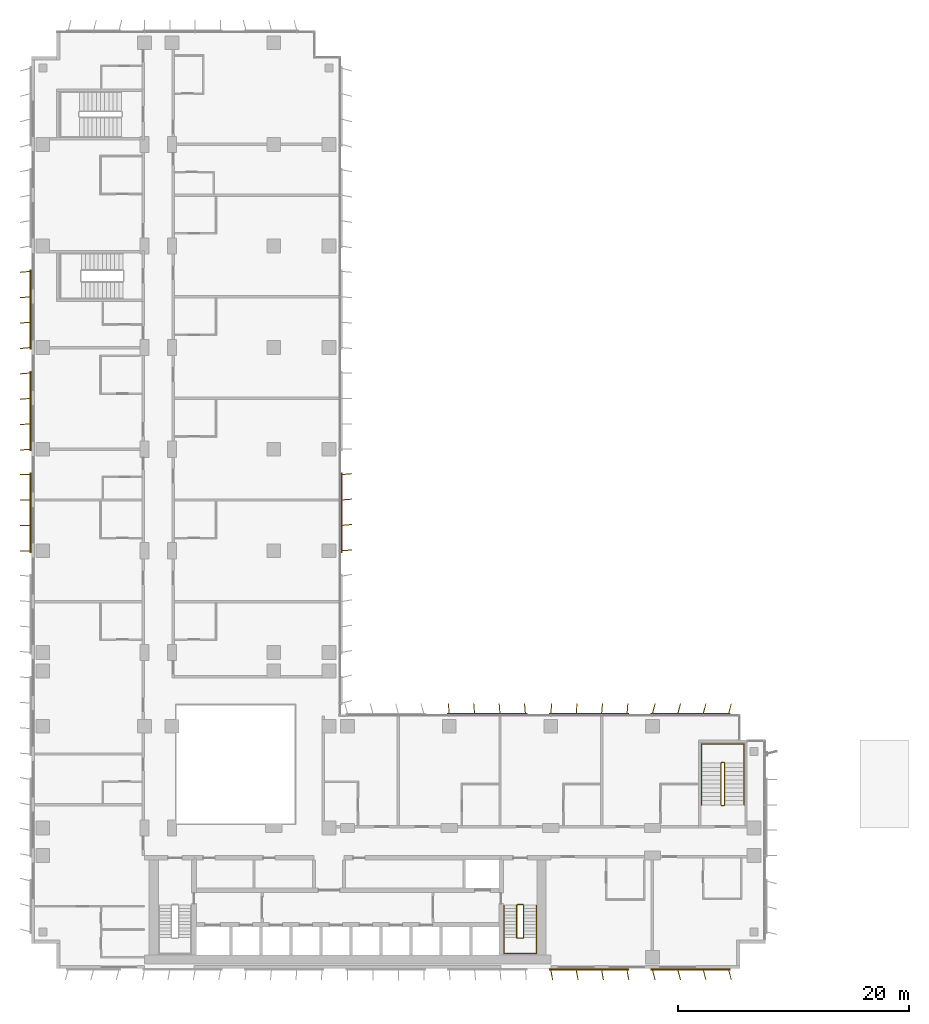
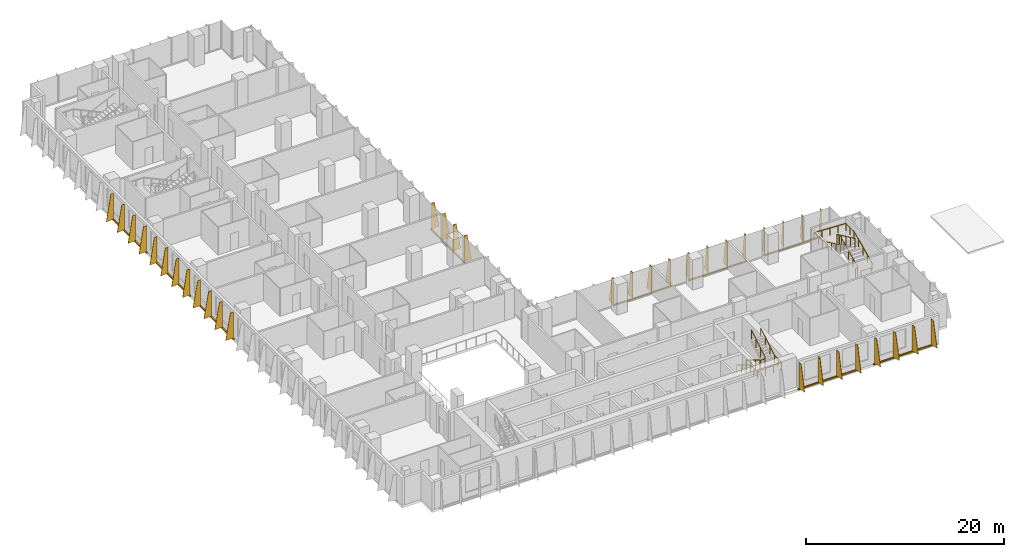
# One storey, part 20 of 22: 9 shading devices, 4 railings.
"""IFC4 building model written with IfcOpenShell, lengths in metres."""

from ifc_helpers import new_model, si_unit, direction, frame, origin, origin_2d, place, context, subcontext, project, spatial, polyline, rectangle, circle, outline, extrude, source, transform, mapped, material, layer, layer_set, type_object, element, save


model = new_model("IFC4")

# Units and contexts
model_context = context("Model", 3, precision=1e-05, world=origin(), true_north=direction((0.0, 1.0)))
body_context = subcontext(model_context, "Body", "Model", "MODEL_VIEW")
ifc_project = project(units=[si_unit("LENGTHUNIT", "METRE"), si_unit("AREAUNIT", "SQUARE_METRE"), si_unit("VOLUMEUNIT", "CUBIC_METRE"), si_unit("PLANEANGLEUNIT", "RADIAN"), si_unit("MASSUNIT", "GRAM", prefix="KILO")], contexts=[model_context])

# Site, building, storey
site_placement = place(None, origin())
site = spatial("IfcSite", under=ifc_project, at=site_placement, CompositionType="ELEMENT")
building_placement = place(site_placement, origin())
building = spatial("IfcBuilding", under=site, at=building_placement, Name="Kemantara Hotel Tower", CompositionType="ELEMENT")
storey_placement = place(building_placement, frame((0.0, 0.0, 87.10009765625)))
storey = spatial("IfcBuildingStorey", under=building, at=storey_placement, Name="L20", CompositionType="ELEMENT", Elevation=87.10009765625)

# Railings
ifc_material_1 = material(Name="Stainless steel balustrade", Category="steel")
railing_type_1 = type_object("IfcRailingType", Name="Stair guard 1100 mm", PredefinedType="GUARDRAIL", material=ifc_material_1)
railing_1_placement = place(storey_placement, frame((42.64990234375, 5.5, 3.699951171875)))
element("IfcRailing", 1, at=railing_1_placement, inside=storey, type_object=railing_type_1, Name="L20 ST2 stair guard 1", PredefinedType="GUARDRAIL", context=body_context, shape_type="SweptSolid", body=[
    extrude(circle(Radius=0.02392578125, at=origin_2d()), frame((0.0, 0.0, 1.076171875), z_axis=(0.0, -0.857242210791, -0.514913383045), x_axis=(1.0, 0.0, 0.0)), (0.0, 0.0, 1.0), 3.266357421875),
    extrude(circle(Radius=0.02392578125, at=origin_2d()), frame((0.0, -2.800048828125, -0.60595703125), z_axis=(-0.273006030465, -0.27434429532, -0.922064485248), x_axis=(0.708833529934, -0.705375805398, 0.0)), (0.0, 0.0, 1.0), 0.182373046875),
    extrude(circle(Radius=0.02392578125, at=origin_2d()), frame((-0.0498046875, -2.85009765625, -0.77392578125), z_axis=(-1.0, 0.0, 0.0), x_axis=(0.0, -1.0, 0.0)), (0.0, 0.0, 1.0), 0.5),
    extrude(circle(Radius=0.02392578125, at=origin_2d()), frame((-0.5498046875, -2.85009765625, -0.77392578125), z_axis=(-0.707106781187, 0.707106781187, 0.0), x_axis=(-0.707106781187, -0.707106781187, 0.0)), (0.0, 0.0, 1.0), 0.07080078125),
    extrude(circle(Radius=0.02392578125, at=origin_2d()), frame((-0.599853515625, -2.800048828125, -0.77392578125), z_axis=(0.0, 0.857242210791, -0.514913383045), x_axis=(-1.0, 0.0, 0.0)), (0.0, 0.0, 1.0), 3.266357421875),
    extrude(circle(Radius=0.02392578125, at=origin_2d()), frame((-0.599853515625, 0.0, -2.4560546875), z_axis=(0.274582412415, 0.274582412415, -0.921525364591), x_axis=(-0.707106781187, 0.707106781187, 0.0)), (0.0, 0.0, 1.0), 0.182373046875),
    extrude(circle(Radius=0.02392578125, at=origin_2d()), frame((-0.5498046875, 0.050048828125, -2.6240234375), z_axis=(1.0, 0.0, 0.0), x_axis=(0.0, 1.0, 0.0)), (0.0, 0.0, 1.0), 0.5),
    extrude(circle(Radius=0.02099609375, at=origin_2d()), origin(), (0.0, 0.0, 1.0), 1.052001953125),
    extrude(circle(Radius=0.02099609375, at=origin_2d()), frame((0.0, -0.933349609375, -0.560546875)), (0.0, 0.0, 1.0), 1.052001953125),
    extrude(circle(Radius=0.02099609375, at=origin_2d()), frame((0.0, -1.86669921875, -1.121337890625)), (0.0, 0.0, 1.0), 1.052001953125),
    extrude(circle(Radius=0.02099609375, at=origin_2d()), frame((0.0, -2.800048828125, -1.681884765625)), (0.0, 0.0, 1.0), 1.052001953125),
    extrude(circle(Radius=0.02099609375, at=origin_2d()), frame((-0.0498046875, -2.85009765625, -1.85009765625)), (0.0, 0.0, 1.0), 1.052001953125),
    extrude(circle(Radius=0.02099609375, at=origin_2d()), frame((-0.5498046875, -2.85009765625, -1.85009765625)), (0.0, 0.0, 1.0), 1.052001953125),
    extrude(circle(Radius=0.02099609375, at=origin_2d()), frame((-0.599853515625, -2.800048828125, -1.85009765625)), (0.0, 0.0, 1.0), 1.052001953125),
    extrude(circle(Radius=0.02099609375, at=origin_2d()), frame((-0.599853515625, -1.86669921875, -2.41064453125)), (0.0, 0.0, 1.0), 1.052001953125),
    extrude(circle(Radius=0.02099609375, at=origin_2d()), frame((-0.599853515625, -0.933349609375, -2.971435546875)), (0.0, 0.0, 1.0), 1.052001953125),
    extrude(circle(Radius=0.02099609375, at=origin_2d()), frame((-0.599853515625, 0.0, -3.531982421875)), (0.0, 0.0, 1.0), 1.052001953125),
    extrude(circle(Radius=0.02099609375, at=origin_2d()), frame((-0.5498046875, 0.050048828125, -3.699951171875)), (0.0, 0.0, 1.0), 1.052001953125),
    extrude(circle(Radius=0.02099609375, at=origin_2d()), frame((-0.0498046875, 0.050048828125, -3.699951171875)), (0.0, 0.0, 1.0), 1.052001953125),
])
railing_2_placement = place(storey_placement, frame((59.75, 14.199951171875, 3.699951171875)))
element("IfcRailing", 2, at=railing_2_placement, inside=storey, type_object=railing_type_1, Name="L20 ST3 stair guard 1", PredefinedType="GUARDRAIL", context=body_context, shape_type="SweptSolid", body=[
    extrude(circle(Radius=0.02392578125, at=origin_2d()), frame((0.0, 0.0, 1.076171875), z_axis=(0.0, 0.906005689286, -0.423265508849), x_axis=(-1.0, 0.0, 0.0)), (0.0, 0.0, 1.0), 3.9736328125),
    extrude(circle(Radius=0.02392578125, at=origin_2d()), frame((0.0, 3.60009765625, -0.60595703125), z_axis=(0.274243871929, 0.274243871929, -0.92172696468), x_axis=(-0.707106781187, 0.707106781187, 0.0)), (0.0, 0.0, 1.0), 0.1826171875),
    extrude(circle(Radius=0.02392578125, at=origin_2d()), frame((0.050048828125, 3.650146484375, -0.77392578125), z_axis=(1.0, 0.0, 0.0), x_axis=(0.0, 1.0, 0.0)), (0.0, 0.0, 1.0), 0.199951171875),
    extrude(circle(Radius=0.02392578125, at=origin_2d()), frame((0.25, 3.650146484375, -0.77392578125), z_axis=(0.707106781187, -0.707106781187, 0.0), x_axis=(0.707106781187, 0.707106781187, 0.0)), (0.0, 0.0, 1.0), 0.07080078125),
    extrude(circle(Radius=0.02392578125, at=origin_2d()), frame((0.300048828125, 3.60009765625, -0.77392578125), z_axis=(0.0, -0.906005689286, -0.423265508849), x_axis=(1.0, 0.0, 0.0)), (0.0, 0.0, 1.0), 3.9736328125),
    extrude(circle(Radius=0.02392578125, at=origin_2d()), frame((0.300048828125, 0.0, -2.4560546875), z_axis=(-0.274582412415, -0.274582412415, -0.921525364591), x_axis=(0.707106781187, -0.707106781187, 0.0)), (0.0, 0.0, 1.0), 0.182373046875),
    extrude(circle(Radius=0.02392578125, at=origin_2d()), frame((0.25, -0.050048828125, -2.6240234375), z_axis=(-1.0, 0.0, 0.0), x_axis=(0.0, -1.0, 0.0)), (0.0, 0.0, 1.0), 0.199951171875),
    extrude(circle(Radius=0.02099609375, at=origin_2d()), origin(), (0.0, 0.0, 1.0), 1.052001953125),
    extrude(circle(Radius=0.02099609375, at=origin_2d()), frame((0.0, 0.89990234375, -0.42041015625)), (0.0, 0.0, 1.0), 1.052001953125),
    extrude(circle(Radius=0.02099609375, at=origin_2d()), frame((0.0, 1.800048828125, -0.8408203125)), (0.0, 0.0, 1.0), 1.052001953125),
    extrude(circle(Radius=0.02099609375, at=origin_2d()), frame((0.0, 2.7001953125, -1.261474609375)), (0.0, 0.0, 1.0), 1.052001953125),
    extrude(circle(Radius=0.02099609375, at=origin_2d()), frame((0.0, 3.60009765625, -1.681884765625)), (0.0, 0.0, 1.0), 1.052001953125),
    extrude(circle(Radius=0.02099609375, at=origin_2d()), frame((0.050048828125, 3.650146484375, -1.85009765625)), (0.0, 0.0, 1.0), 1.052001953125),
    extrude(circle(Radius=0.02099609375, at=origin_2d()), frame((0.25, 3.650146484375, -1.85009765625)), (0.0, 0.0, 1.0), 1.052001953125),
    extrude(circle(Radius=0.02099609375, at=origin_2d()), frame((0.300048828125, 3.60009765625, -1.85009765625)), (0.0, 0.0, 1.0), 1.052001953125),
    extrude(circle(Radius=0.02099609375, at=origin_2d()), frame((0.300048828125, 2.7001953125, -2.2705078125)), (0.0, 0.0, 1.0), 1.052001953125),
    extrude(circle(Radius=0.02099609375, at=origin_2d()), frame((0.300048828125, 1.800048828125, -2.69091796875)), (0.0, 0.0, 1.0), 1.052001953125),
    extrude(circle(Radius=0.02099609375, at=origin_2d()), frame((0.300048828125, 0.89990234375, -3.111572265625)), (0.0, 0.0, 1.0), 1.052001953125),
    extrude(circle(Radius=0.02099609375, at=origin_2d()), frame((0.300048828125, 0.0, -3.531982421875)), (0.0, 0.0, 1.0), 1.052001953125),
    extrude(circle(Radius=0.02099609375, at=origin_2d()), frame((0.25, -0.050048828125, -3.699951171875)), (0.0, 0.0, 1.0), 1.052001953125),
    extrude(circle(Radius=0.02099609375, at=origin_2d()), frame((0.050048828125, -0.050048828125, -3.699951171875)), (0.0, 0.0, 1.0), 1.052001953125),
])
railing_type_2 = type_object("IfcRailingType", Name="Stair handrail 900 mm", PredefinedType="HANDRAIL", material=ifc_material_1)
railing_3_placement = place(storey_placement, frame((40.949951171875, 5.5, 0.16796875)))
element("IfcRailing", 3, at=railing_3_placement, inside=storey, type_object=railing_type_2, Name="L20 ST2 stair handrail 1", PredefinedType="HANDRAIL", context=body_context, shape_type="SweptSolid", body=[
    extrude(circle(Radius=0.02392578125, at=origin_2d()), frame((0.0, 0.0, 0.8759765625), z_axis=(0.0, -0.857242210791, 0.514913383045), x_axis=(1.0, 0.0, 0.0)), (0.0, 0.0, 1.0), 3.266357421875),
    extrude(circle(Radius=0.02392578125, at=origin_2d()), frame((0.0, -2.800048828125, 2.5576171875), z_axis=(0.0, -1.0, 0.0), x_axis=(1.0, 0.0, 0.0)), (0.0, 0.0, 1.0), 1.3798828125),
    extrude(circle(Radius=0.02392578125, at=origin_2d()), frame((0.0, -4.179931640625, 2.5576171875), z_axis=(0.998200367801, 0.0, 0.059966871865), x_axis=(0.0, 1.0, 0.0)), (0.0, 0.0, 1.0), 2.80517578125),
    extrude(circle(Radius=0.02392578125, at=origin_2d()), frame((2.800048828125, -4.179931640625, 2.72607421875), z_axis=(0.0, 1.0, 0.0), x_axis=(-1.0, 0.0, 0.0)), (0.0, 0.0, 1.0), 1.3798828125),
    extrude(circle(Radius=0.02392578125, at=origin_2d()), frame((2.800048828125, -2.800048828125, 2.72607421875), z_axis=(0.0, 0.857242210791, 0.514913383045), x_axis=(-1.0, 0.0, 0.0)), (0.0, 0.0, 1.0), 3.266357421875),
    extrude(circle(Radius=0.02099609375, at=origin_2d()), origin(), (0.0, 0.0, 1.0), 0.851806640625),
    extrude(circle(Radius=0.02099609375, at=origin_2d()), frame((0.0, -0.933349609375, 0.560546875)), (0.0, 0.0, 1.0), 0.851806640625),
    extrude(circle(Radius=0.02099609375, at=origin_2d()), frame((0.0, -1.86669921875, 1.121337890625)), (0.0, 0.0, 1.0), 0.851806640625),
    extrude(circle(Radius=0.02099609375, at=origin_2d()), frame((0.0, -2.800048828125, 1.681884765625)), (0.0, 0.0, 1.0), 0.851806640625),
    extrude(circle(Radius=0.02099609375, at=origin_2d()), frame((0.0, -3.489990234375, 1.681884765625)), (0.0, 0.0, 1.0), 0.851806640625),
    extrude(circle(Radius=0.02099609375, at=origin_2d()), frame((0.0, -4.179931640625, 1.681884765625)), (0.0, 0.0, 1.0), 0.851806640625),
    extrude(circle(Radius=0.02099609375, at=origin_2d()), frame((0.933349609375, -4.179931640625, 1.738037109375)), (0.0, 0.0, 1.0), 0.851806640625),
    extrude(circle(Radius=0.02099609375, at=origin_2d()), frame((1.86669921875, -4.179931640625, 1.7939453125)), (0.0, 0.0, 1.0), 0.851806640625),
    extrude(circle(Radius=0.02099609375, at=origin_2d()), frame((2.800048828125, -4.179931640625, 1.85009765625)), (0.0, 0.0, 1.0), 0.851806640625),
    extrude(circle(Radius=0.02099609375, at=origin_2d()), frame((2.800048828125, -3.489990234375, 1.85009765625)), (0.0, 0.0, 1.0), 0.851806640625),
    extrude(circle(Radius=0.02099609375, at=origin_2d()), frame((2.800048828125, -2.800048828125, 1.85009765625)), (0.0, 0.0, 1.0), 0.851806640625),
    extrude(circle(Radius=0.02099609375, at=origin_2d()), frame((2.800048828125, -1.86669921875, 2.41064453125)), (0.0, 0.0, 1.0), 0.851806640625),
    extrude(circle(Radius=0.02099609375, at=origin_2d()), frame((2.800048828125, -0.933349609375, 2.971435546875)), (0.0, 0.0, 1.0), 0.851806640625),
    extrude(circle(Radius=0.02099609375, at=origin_2d()), frame((2.800048828125, 0.0, 3.531982421875)), (0.0, 0.0, 1.0), 0.851806640625),
])
railing_4_placement = place(storey_placement, frame((61.75, 14.199951171875, 0.16796875)))
element("IfcRailing", 4, at=railing_4_placement, inside=storey, type_object=railing_type_2, Name="L20 ST3 stair handrail 1", PredefinedType="HANDRAIL", context=body_context, shape_type="SweptSolid", body=[
    extrude(circle(Radius=0.02392578125, at=origin_2d()), frame((0.0, 0.0, 0.8759765625), z_axis=(0.0, 0.906005689286, 0.423265508849), x_axis=(-1.0, 0.0, 0.0)), (0.0, 0.0, 1.0), 3.9736328125),
    extrude(circle(Radius=0.02392578125, at=origin_2d()), frame((0.0, 3.60009765625, 2.5576171875), z_axis=(0.0, 1.0, 0.0), x_axis=(-1.0, 0.0, 0.0)), (0.0, 0.0, 1.0), 1.679931640625),
    extrude(circle(Radius=0.02392578125, at=origin_2d()), frame((0.0, 5.280029296875, 2.5576171875), z_axis=(-0.998968132438, 0.0, 0.045416631029), x_axis=(0.0, -1.0, 0.0)), (0.0, 0.0, 1.0), 3.703857421875),
    extrude(circle(Radius=0.02392578125, at=origin_2d()), frame((-3.699951171875, 5.280029296875, 2.72607421875), z_axis=(0.0, -1.0, 0.0), x_axis=(1.0, 0.0, 0.0)), (0.0, 0.0, 1.0), 1.679931640625),
    extrude(circle(Radius=0.02392578125, at=origin_2d()), frame((-3.699951171875, 3.60009765625, 2.72607421875), z_axis=(0.0, -0.906005689286, 0.423265508849), x_axis=(1.0, 0.0, 0.0)), (0.0, 0.0, 1.0), 3.9736328125),
    extrude(circle(Radius=0.02099609375, at=origin_2d()), origin(), (0.0, 0.0, 1.0), 0.851806640625),
    extrude(circle(Radius=0.02099609375, at=origin_2d()), frame((0.0, 0.89990234375, 0.42041015625)), (0.0, 0.0, 1.0), 0.851806640625),
    extrude(circle(Radius=0.02099609375, at=origin_2d()), frame((0.0, 1.800048828125, 0.8408203125)), (0.0, 0.0, 1.0), 0.851806640625),
    extrude(circle(Radius=0.02099609375, at=origin_2d()), frame((0.0, 2.7001953125, 1.261474609375)), (0.0, 0.0, 1.0), 0.851806640625),
    extrude(circle(Radius=0.02099609375, at=origin_2d()), frame((0.0, 3.60009765625, 1.681884765625)), (0.0, 0.0, 1.0), 0.851806640625),
    extrude(circle(Radius=0.02099609375, at=origin_2d()), frame((0.0, 4.43994140625, 1.681884765625)), (0.0, 0.0, 1.0), 0.851806640625),
    extrude(circle(Radius=0.02099609375, at=origin_2d()), frame((0.0, 5.280029296875, 1.681884765625)), (0.0, 0.0, 1.0), 0.851806640625),
    extrude(circle(Radius=0.02099609375, at=origin_2d()), frame((-0.925048828125, 5.280029296875, 1.723876953125)), (0.0, 0.0, 1.0), 0.851806640625),
    extrude(circle(Radius=0.02099609375, at=origin_2d()), frame((-1.85009765625, 5.280029296875, 1.76611328125)), (0.0, 0.0, 1.0), 0.851806640625),
    extrude(circle(Radius=0.02099609375, at=origin_2d()), frame((-2.77490234375, 5.280029296875, 1.80810546875)), (0.0, 0.0, 1.0), 0.851806640625),
    extrude(circle(Radius=0.02099609375, at=origin_2d()), frame((-3.699951171875, 5.280029296875, 1.85009765625)), (0.0, 0.0, 1.0), 0.851806640625),
    extrude(circle(Radius=0.02099609375, at=origin_2d()), frame((-3.699951171875, 4.43994140625, 1.85009765625)), (0.0, 0.0, 1.0), 0.851806640625),
    extrude(circle(Radius=0.02099609375, at=origin_2d()), frame((-3.699951171875, 3.60009765625, 1.85009765625)), (0.0, 0.0, 1.0), 0.851806640625),
    extrude(circle(Radius=0.02099609375, at=origin_2d()), frame((-3.699951171875, 2.7001953125, 2.2705078125)), (0.0, 0.0, 1.0), 0.851806640625),
    extrude(circle(Radius=0.02099609375, at=origin_2d()), frame((-3.699951171875, 1.800048828125, 2.69091796875)), (0.0, 0.0, 1.0), 0.851806640625),
    extrude(circle(Radius=0.02099609375, at=origin_2d()), frame((-3.699951171875, 0.89990234375, 3.111572265625)), (0.0, 0.0, 1.0), 0.851806640625),
    extrude(circle(Radius=0.02099609375, at=origin_2d()), frame((-3.699951171875, 0.0, 3.531982421875)), (0.0, 0.0, 1.0), 0.851806640625),
])

# Shading devices
ifc_material_2 = material(Name="Perforated aluminium plate 4 mm bronze anodised", Category="aluminium")
ifc_layer_1 = layer(ifc_material_2, 0.0400390625)
ifc_layer_set_1 = layer_set([ifc_layer_1], Name="Perforated aluminium plate 4 mm bronze anodised")
shading_device_type_1 = type_object("IfcShadingDeviceType", Name="SCREEN FIN CASSETTE, 4 BLADES AT -5.0 DEG, 3200 HIGH", PredefinedType="USERDEFINED", material=ifc_layer_set_1)
shared_shape_1 = source(origin(), body_context, "Body", "SweptSolid", [
    extrude(rectangle(XDim=6.89990234375, YDim=0.14990234375, at=origin_2d()), frame((3.300048828125, -0.074951171875, -0.14990234375), z_axis=(0.0, 0.0, 1.0), x_axis=(1.0, 0.0, 0.0)), (0.0, 0.0, 1.0), 0.14990234375),
    extrude(outline(polyline([(0.0, 0.0), (0.89990234375, 0.0), (0.35009765625, 3.199951171875), (0.0, 3.199951171875), (0.0, 0.0)])), frame((0.02001953125, -0.07666015625, 0.0), z_axis=(-0.996376129781, 0.085056498884, 0.0), x_axis=(-0.085056498884, -0.996376129781, 0.0)), (0.0, 0.0, 1.0), 0.040283203125),
    extrude(outline(polyline([(0.0, 0.0), (0.89990234375, 0.0), (0.35009765625, 3.199951171875), (0.0, 3.199951171875), (0.0, 0.0)])), frame((2.219970703125, -0.07666015625, 0.0), z_axis=(-0.996331773833, 0.085574508182, 0.0), x_axis=(-0.085574508182, -0.996331773833, 0.0)), (0.0, 0.0, 1.0), 0.0400390625),
    extrude(outline(polyline([(0.0, 0.0), (0.89990234375, 0.0), (0.35009765625, 3.199951171875), (0.0, 3.199951171875), (0.0, 0.0)])), frame((4.419921875, -0.07666015625, 0.0), z_axis=(-0.996331773833, 0.085574508182, 0.0), x_axis=(-0.085574508182, -0.996331773833, 0.0)), (0.0, 0.0, 1.0), 0.0400390625),
    extrude(outline(polyline([(0.0, 0.0), (0.89990234375, 0.0), (0.35009765625, 3.199951171875), (0.0, 3.199951171875), (0.0, 0.0)])), frame((6.619873046875, -0.07666015625, 0.0), z_axis=(-0.996331773833, 0.085574508182, 0.0), x_axis=(-0.085574508182, -0.996331773833, 0.0)), (0.0, 0.0, 1.0), 0.0400390625),
])
shading_device_1_placement = place(storey_placement, frame((51.60009765625, 22.0, 0.099853515625), z_axis=(0.0, 0.0, 1.0), x_axis=(-1.0, 0.0, 0.0)))
element("IfcShadingDevice", 5, at=shading_device_1_placement, inside=storey, type_object=shading_device_type_1, Name="SCREEN FIN CASSETTE L20 T2-R13-2", ObjectType="SCREEN FIN", PredefinedType="USERDEFINED", context=body_context, shape_type="MappedRepresentation", body=[
    mapped(shared_shape_1, transform((0.0, 0.0, 0.0))),
])
ifc_layer_2 = layer(ifc_material_2, 0.0400390625)
ifc_layer_set_2 = layer_set([ifc_layer_2], Name="Perforated aluminium plate 4 mm bronze anodised")
shading_device_type_2 = type_object("IfcShadingDeviceType", Name="SCREEN FIN CASSETTE, 4 BLADES AT +0.0 DEG, 3200 HIGH", PredefinedType="USERDEFINED", material=ifc_layer_set_2)
shared_shape_2 = source(origin(), body_context, "Body", "SweptSolid", [
    extrude(rectangle(XDim=6.89990234375, YDim=0.14990234375, at=origin_2d()), frame((3.300048828125, -0.074951171875, -0.14990234375), z_axis=(0.0, 0.0, 1.0), x_axis=(1.0, 0.0, 0.0)), (0.0, 0.0, 1.0), 0.14990234375),
    extrude(outline(polyline([(0.0, 0.0), (0.89990234375, 0.0), (0.35009765625, 3.199951171875), (0.0, 3.199951171875), (0.0, 0.0)])), frame((0.02001953125, -0.074951171875, 0.0), z_axis=(-1.0, 0.0, 0.0), x_axis=(0.0, -1.0, 0.0)), (0.0, 0.0, 1.0), 0.0400390625),
    extrude(outline(polyline([(0.0, 0.0), (0.89990234375, 0.0), (0.35009765625, 3.199951171875), (0.0, 3.199951171875), (0.0, 0.0)])), frame((2.219970703125, -0.074951171875, 0.0), z_axis=(-1.0, 0.0, 0.0), x_axis=(0.0, -1.0, 0.0)), (0.0, 0.0, 1.0), 0.0400390625),
    extrude(outline(polyline([(0.0, 0.0), (0.89990234375, 0.0), (0.35009765625, 3.199951171875), (0.0, 3.199951171875), (0.0, 0.0)])), frame((4.419921875, -0.074951171875, 0.0), z_axis=(-1.0, 0.0, 0.0), x_axis=(0.0, -1.0, 0.0)), (0.0, 0.0, 1.0), 0.0400390625),
    extrude(outline(polyline([(0.0, 0.0), (0.89990234375, 0.0), (0.35009765625, 3.199951171875), (0.0, 3.199951171875), (0.0, 0.0)])), frame((6.6201171875, -0.074951171875, 0.0), z_axis=(-1.0, 0.0, 0.0), x_axis=(0.0, -1.0, 0.0)), (0.0, 0.0, 1.0), 0.0400390625),
])
shading_device_2_placement = place(storey_placement, frame((0.0, 42.800048828125, 0.099853515625), z_axis=(0.0, 0.0, 1.0), x_axis=(0.0, -1.0, 0.0)))
element("IfcShadingDevice", 6, at=shading_device_2_placement, inside=storey, type_object=shading_device_type_2, Name="SCREEN FIN CASSETTE L20 T2-R04-5", ObjectType="SCREEN FIN", PredefinedType="USERDEFINED", context=body_context, shape_type="MappedRepresentation", body=[
    mapped(shared_shape_2, transform((0.0, 0.0, 0.0))),
])
ifc_layer_3 = layer(ifc_material_2, 0.0400390625)
ifc_layer_set_3 = layer_set([ifc_layer_3], Name="Perforated aluminium plate 4 mm bronze anodised")
shading_device_type_3 = type_object("IfcShadingDeviceType", Name="SCREEN FIN CASSETTE, 4 BLADES AT +5.0 DEG, 3200 HIGH", PredefinedType="USERDEFINED", material=ifc_layer_set_3)
shared_shape_3 = source(origin(), body_context, "Body", "SweptSolid", [
    extrude(rectangle(XDim=6.89990234375, YDim=0.14990234375, at=origin_2d()), frame((3.300048828125, -0.074951171875, -0.14990234375), z_axis=(0.0, 0.0, 1.0), x_axis=(1.0, 0.0, 0.0)), (0.0, 0.0, 1.0), 0.14990234375),
    extrude(outline(polyline([(0.0, 0.0), (0.89990234375, 0.0), (0.35009765625, 3.199951171875), (0.0, 3.199951171875), (0.0, 0.0)])), frame((0.02001953125, -0.0732421875, 0.0), z_axis=(-0.996376129781, -0.085056498884, 0.0), x_axis=(0.085056498884, -0.996376129781, 0.0)), (0.0, 0.0, 1.0), 0.040283203125),
    extrude(outline(polyline([(0.0, 0.0), (0.89990234375, 0.0), (0.35009765625, 3.199951171875), (0.0, 3.199951171875), (0.0, 0.0)])), frame((2.219970703125, -0.0732421875, 0.0), z_axis=(-0.996331773833, -0.085574508182, 0.0), x_axis=(0.085574508182, -0.996331773833, 0.0)), (0.0, 0.0, 1.0), 0.0400390625),
    extrude(outline(polyline([(0.0, 0.0), (0.89990234375, 0.0), (0.35009765625, 3.199951171875), (0.0, 3.199951171875), (0.0, 0.0)])), frame((4.419921875, -0.0732421875, 0.0), z_axis=(-0.996331773833, -0.085574508182, 0.0), x_axis=(0.085574508182, -0.996331773833, 0.0)), (0.0, 0.0, 1.0), 0.0400390625),
    extrude(outline(polyline([(0.0, 0.0), (0.89990234375, 0.0), (0.35009765625, 3.199951171875), (0.0, 3.199951171875), (0.0, 0.0)])), frame((6.619873046875, -0.0732421875, 0.0), z_axis=(-0.996331773833, -0.085574508182, 0.0), x_axis=(0.085574508182, -0.996331773833, 0.0)), (0.0, 0.0, 1.0), 0.0400390625),
])
for number, where, z_axis, x_axis, name in (
    (7, (0.0, 60.39990234375, 0.099853515625), (0.0, 0.0, 1.0), (0.0, -1.0, 0.0), "SCREEN FIN CASSETTE L20 T2-R04-3"),
    (8, (0.0, 51.60009765625, 0.099853515625), (0.0, 0.0, 1.0), (0.0, -1.0, 0.0), "SCREEN FIN CASSETTE L20 T2-R04-4"),
    (9, (42.800048828125, 22.0, 0.099853515625), (0.0, 0.0, 1.0), (-1.0, 0.0, 0.0), "SCREEN FIN CASSETTE L20 T2-R13-3"),
    (10, (26.800048828125, 36.199951171875, 0.099853515625), (0.0, 0.0, 1.0), (0.0, 1.0, 0.0), "SCREEN FIN CASSETTE L20 T2-R14-3"),
):
    element("IfcShadingDevice", number, at=place(storey_placement, frame(where, z_axis=z_axis, x_axis=x_axis)), inside=storey, type_object=shading_device_type_3, Name=name, ObjectType="SCREEN FIN", PredefinedType="USERDEFINED", context=body_context, shape_type="MappedRepresentation", body=[
        mapped(shared_shape_3, transform((0.0, 0.0, 0.0))),
    ])
ifc_layer_4 = layer(ifc_material_2, 0.0400390625)
ifc_layer_set_4 = layer_set([ifc_layer_4], Name="Perforated aluminium plate 4 mm bronze anodised")
shading_device_type_4 = type_object("IfcShadingDeviceType", Name="SCREEN FIN CASSETTE, 4 BLADES AT +10.0 DEG, 3200 HIGH", PredefinedType="USERDEFINED", material=ifc_layer_set_4)
shared_shape_4 = source(origin(), body_context, "Body", "SweptSolid", [
    extrude(rectangle(XDim=6.89990234375, YDim=0.14990234375, at=origin_2d()), frame((3.300048828125, -0.074951171875, -0.14990234375), z_axis=(0.0, 0.0, 1.0), x_axis=(1.0, 0.0, 0.0)), (0.0, 0.0, 1.0), 0.14990234375),
    extrude(outline(polyline([(0.0, 0.0), (0.89990234375, 0.0), (0.35009765625, 3.199951171875), (0.0, 3.199951171875), (0.0, 0.0)])), frame((0.019775390625, -0.071533203125, 0.0), z_axis=(-0.985389793052, -0.170314285219, 0.0), x_axis=(0.170314285219, -0.985389793052, 0.0)), (0.0, 0.0, 1.0), 0.0400390625),
    extrude(outline(polyline([(0.0, 0.0), (0.89990234375, 0.0), (0.35009765625, 3.199951171875), (0.0, 3.199951171875), (0.0, 0.0)])), frame((2.2197265625, -0.071533203125, 0.0), z_axis=(-0.98521175482, -0.171341174751, 0.0), x_axis=(0.171341174751, -0.98521175482, 0.0)), (0.0, 0.0, 1.0), 0.039794921875),
    extrude(outline(polyline([(0.0, 0.0), (0.89990234375, 0.0), (0.35009765625, 3.199951171875), (0.0, 3.199951171875), (0.0, 0.0)])), frame((4.419677734375, -0.071533203125, 0.0), z_axis=(-0.98521175482, -0.171341174751, 0.0), x_axis=(0.171341174751, -0.98521175482, 0.0)), (0.0, 0.0, 1.0), 0.039794921875),
    extrude(outline(polyline([(0.0, 0.0), (0.89990234375, 0.0), (0.35009765625, 3.199951171875), (0.0, 3.199951171875), (0.0, 0.0)])), frame((6.61962890625, -0.071533203125, 0.0), z_axis=(-0.98521175482, -0.171341174751, 0.0), x_axis=(0.171341174751, -0.98521175482, 0.0)), (0.0, 0.0, 1.0), 0.039794921875),
])
shading_device_3_placement = place(storey_placement, frame((45.0, 0.0, 0.099853515625), z_axis=(0.0, 0.0, 1.0), x_axis=(1.0, 0.0, 0.0)))
element("IfcShadingDevice", 11, at=shading_device_3_placement, inside=storey, type_object=shading_device_type_4, Name="SCREEN FIN CASSETTE L20 T2-R07-6", ObjectType="SCREEN FIN", PredefinedType="USERDEFINED", context=body_context, shape_type="MappedRepresentation", body=[
    mapped(shared_shape_4, transform((0.0, 0.0, 0.0))),
])
ifc_layer_5 = layer(ifc_material_2, 0.0400390625)
ifc_layer_set_5 = layer_set([ifc_layer_5], Name="Perforated aluminium plate 4 mm bronze anodised")
shading_device_type_5 = type_object("IfcShadingDeviceType", Name="SCREEN FIN CASSETTE, 4 BLADES AT +15.0 DEG, 3200 HIGH", PredefinedType="USERDEFINED", material=ifc_layer_set_5)
shared_shape_5 = source(origin(), body_context, "Body", "SweptSolid", [
    extrude(rectangle(XDim=6.89990234375, YDim=0.14990234375, at=origin_2d()), frame((3.300048828125, -0.074951171875, -0.14990234375), z_axis=(0.0, 0.0, 1.0), x_axis=(1.0, 0.0, 0.0)), (0.0, 0.0, 1.0), 0.14990234375),
    extrude(outline(polyline([(0.0, 0.0), (0.89990234375, 0.0), (0.35009765625, 3.199951171875), (0.0, 3.199951171875), (0.0, 0.0)])), frame((0.019287109375, -0.06982421875, 0.0), z_axis=(-0.966437683387, -0.256901156343, 0.0), x_axis=(0.256901156343, -0.966437683387, 0.0)), (0.0, 0.0, 1.0), 0.039794921875),
    extrude(outline(polyline([(0.0, 0.0), (0.89990234375, 0.0), (0.35009765625, 3.199951171875), (0.0, 3.199951171875), (0.0, 0.0)])), frame((2.21923828125, -0.06982421875, 0.0), z_axis=(-0.966437683387, -0.256901156343, 0.0), x_axis=(0.256901156343, -0.966437683387, 0.0)), (0.0, 0.0, 1.0), 0.039794921875),
    extrude(outline(polyline([(0.0, 0.0), (0.89990234375, 0.0), (0.35009765625, 3.199951171875), (0.0, 3.199951171875), (0.0, 0.0)])), frame((4.41943359375, -0.06982421875, 0.0), z_axis=(-0.966837822169, -0.255391122837, 0.0), x_axis=(0.255391122837, -0.966837822169, 0.0)), (0.0, 0.0, 1.0), 0.0400390625),
    extrude(outline(polyline([(0.0, 0.0), (0.89990234375, 0.0), (0.35009765625, 3.199951171875), (0.0, 3.199951171875), (0.0, 0.0)])), frame((6.619384765625, -0.06982421875, 0.0), z_axis=(-0.966837822169, -0.255391122837, 0.0), x_axis=(0.255391122837, -0.966837822169, 0.0)), (0.0, 0.0, 1.0), 0.0400390625),
])
shading_device_4_placement = place(storey_placement, frame((53.800048828125, 0.0, 0.099853515625), z_axis=(0.0, 0.0, 1.0), x_axis=(1.0, 0.0, 0.0)))
element("IfcShadingDevice", 12, at=shading_device_4_placement, inside=storey, type_object=shading_device_type_5, Name="SCREEN FIN CASSETTE L20 T2-R07-7", ObjectType="SCREEN FIN", PredefinedType="USERDEFINED", context=body_context, shape_type="MappedRepresentation", body=[
    mapped(shared_shape_5, transform((0.0, 0.0, 0.0))),
])
ifc_layer_6 = layer(ifc_material_2, 0.0400390625)
ifc_layer_set_6 = layer_set([ifc_layer_6], Name="Perforated aluminium plate 4 mm bronze anodised")
shading_device_type_6 = type_object("IfcShadingDeviceType", Name="SCREEN FIN CASSETTE, 4 BLADES AT -15.0 DEG, 3200 HIGH", PredefinedType="USERDEFINED", material=ifc_layer_set_6)
shared_shape_6 = source(origin(), body_context, "Body", "SweptSolid", [
    extrude(rectangle(XDim=6.89990234375, YDim=0.14990234375, at=origin_2d()), frame((3.300048828125, -0.074951171875, -0.14990234375), z_axis=(0.0, 0.0, 1.0), x_axis=(1.0, 0.0, 0.0)), (0.0, 0.0, 1.0), 0.14990234375),
    extrude(outline(polyline([(0.0, 0.0), (0.89990234375, 0.0), (0.35009765625, 3.199951171875), (0.0, 3.199951171875), (0.0, 0.0)])), frame((0.019287109375, -0.080078125, 0.0), z_axis=(-0.966437683387, 0.256901156343, 0.0), x_axis=(-0.256901156343, -0.966437683387, 0.0)), (0.0, 0.0, 1.0), 0.039794921875),
    extrude(outline(polyline([(0.0, 0.0), (0.89990234375, 0.0), (0.35009765625, 3.199951171875), (0.0, 3.199951171875), (0.0, 0.0)])), frame((2.21923828125, -0.080078125, 0.0), z_axis=(-0.966437683387, 0.256901156343, 0.0), x_axis=(-0.256901156343, -0.966437683387, 0.0)), (0.0, 0.0, 1.0), 0.039794921875),
    extrude(outline(polyline([(0.0, 0.0), (0.89990234375, 0.0), (0.35009765625, 3.199951171875), (0.0, 3.199951171875), (0.0, 0.0)])), frame((4.41943359375, -0.080078125, 0.0), z_axis=(-0.966837822169, 0.255391122837, 0.0), x_axis=(-0.255391122837, -0.966837822169, 0.0)), (0.0, 0.0, 1.0), 0.0400390625),
    extrude(outline(polyline([(0.0, 0.0), (0.89990234375, 0.0), (0.35009765625, 3.199951171875), (0.0, 3.199951171875), (0.0, 0.0)])), frame((6.619384765625, -0.080078125, 0.0), z_axis=(-0.966837822169, 0.255391122837, 0.0), x_axis=(-0.255391122837, -0.966837822169, 0.0)), (0.0, 0.0, 1.0), 0.0400390625),
])
shading_device_5_placement = place(storey_placement, frame((60.39990234375, 22.0, 0.099853515625), z_axis=(0.0, 0.0, 1.0), x_axis=(-1.0, 0.0, 0.0)))
element("IfcShadingDevice", 13, at=shading_device_5_placement, inside=storey, type_object=shading_device_type_6, Name="SCREEN FIN CASSETTE L20 T2-R13-1", ObjectType="SCREEN FIN", PredefinedType="USERDEFINED", context=body_context, shape_type="MappedRepresentation", body=[
    mapped(shared_shape_6, transform((0.0, 0.0, 0.0))),
])

save(model, "model.ifc")
